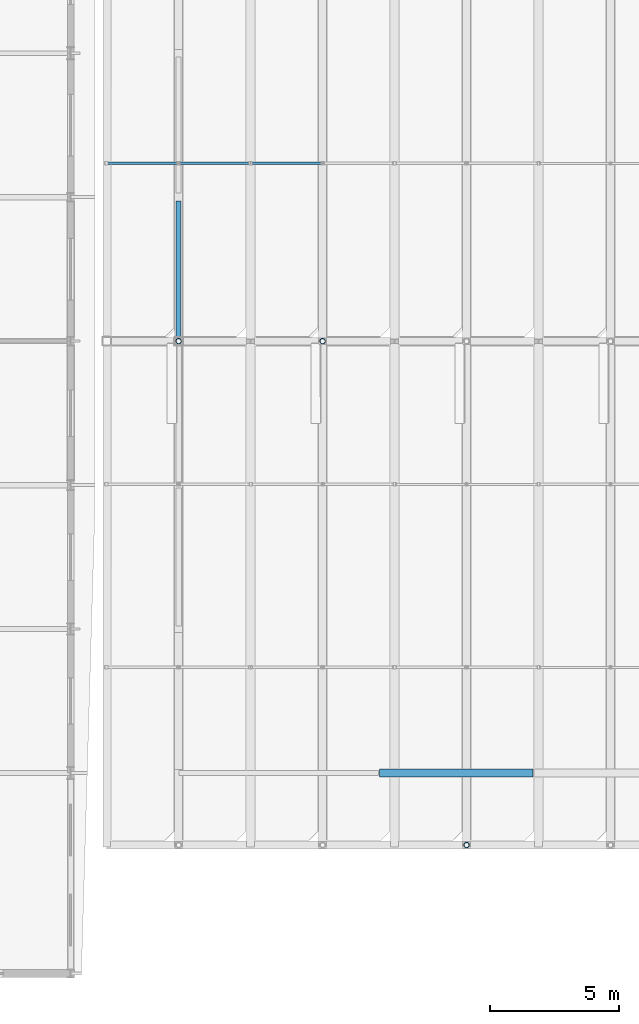
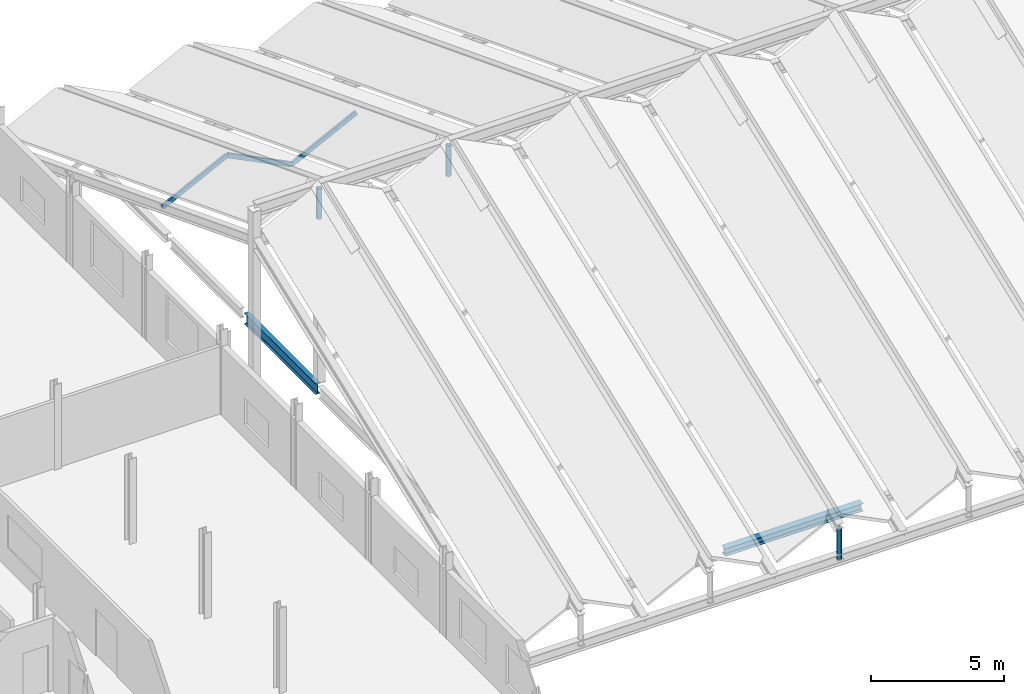
# One storey, part 11 of 49: 6 members, 2 beams.
"""IFC4 building model written with IfcOpenShell, lengths in metres."""

from ifc_helpers import new_model, si_unit, direction, frame, origin, origin_2d, place, context, subcontext, project, spatial, hollow_rectangle, hollow_circle, i_section, extrude, material, material_profile, profile_set, type_object, element, save


model = new_model("IFC4")

# Units and contexts
model_context = context("Model", 3, precision=1e-05, world=origin(), true_north=direction((0.0, 1.0)))
body_context = subcontext(model_context, "Body", "Model", "MODEL_VIEW")
ifc_project = project(units=[si_unit("LENGTHUNIT", "METRE"), si_unit("AREAUNIT", "SQUARE_METRE"), si_unit("VOLUMEUNIT", "CUBIC_METRE"), si_unit("PLANEANGLEUNIT", "RADIAN"), si_unit("MASSUNIT", "GRAM", prefix="KILO")], contexts=[model_context])

# Site, building, storey
site_placement = place(None, origin())
site = spatial("IfcSite", under=ifc_project, at=site_placement, CompositionType="ELEMENT")
building_placement = place(site_placement, origin())
building = spatial("IfcBuilding", under=site, at=building_placement, Name="Vinh Khe Railworks Police Headquarters", CompositionType="ELEMENT")
storey_placement = place(building_placement, frame((0.0, 0.0, 17.10009765625)))
storey = spatial("IfcBuildingStorey", under=building, at=storey_placement, Name="L04", CompositionType="ELEMENT", Elevation=17.10009765625)

# Members
ifc_material = material(Name="Steel S355JR", Category="steel")
ifc_material_profile_1 = material_profile(ifc_material, hollow_rectangle(XDim=0.10009765625, YDim=0.199951171875, WallThickness=0.010009765625, at=origin_2d()), Name="RHS 200x100x10")
ifc_profile_set_1 = profile_set([ifc_material_profile_1], Name="Steel S355JR")
member_type_1 = type_object("IfcMemberType", Name="Roof Purlin RHS 200x100x10", PredefinedType="PURLIN", material=ifc_profile_set_1)
member_1_placement = place(storey_placement, frame((23.60009765625, 48.9140625, 4.69775390625), z_axis=(0.894395992591, 0.0, 0.447275986877), x_axis=(0.0, 1.0, 0.0)))
element("IfcMember", 1, at=member_1_placement, inside=storey, type_object=member_type_1, Name="Folded Roof Purlin 003", PredefinedType="PURLIN", context=body_context, shape_type="SweptSolid", body=[
    extrude(hollow_rectangle(XDim=0.10009765625, YDim=0.199951171875, WallThickness=0.010009765625, at=origin_2d()), origin(), (0.0, 0.0, 1.0), 3.13037109375),
])
member_2_placement = place(storey_placement, frame((26.39990234375, 48.9140625, 6.097900390625), z_axis=(0.894411593428, 0.0, -0.447244789285), x_axis=(0.0, 1.0, 0.0)))
element("IfcMember", 2, at=member_2_placement, inside=storey, type_object=member_type_1, Name="Folded Roof Purlin 007", PredefinedType="PURLIN", context=body_context, shape_type="SweptSolid", body=[
    extrude(hollow_rectangle(XDim=0.10009765625, YDim=0.199951171875, WallThickness=0.010009765625, at=origin_2d()), origin(), (0.0, 0.0, 1.0), 3.130615234375),
])
ifc_material_profile_2 = material_profile(ifc_material, hollow_rectangle(XDim=0.10009765625, YDim=0.199951171875, WallThickness=0.008056640625, at=origin_2d()), Name="RHS 200x100x8")
ifc_profile_set_2 = profile_set([ifc_material_profile_2], Name="Steel S355JR")
member_type_2 = type_object("IfcMemberType", Name="Roof Purlin RHS 200x100x8", PredefinedType="PURLIN", material=ifc_profile_set_2)
member_3_placement = place(storey_placement, frame((29.199951171875, 48.9140625, 4.69775390625), z_axis=(0.894411593428, 0.0, 0.447244789285), x_axis=(0.0, 1.0, 0.0)))
element("IfcMember", 3, at=member_3_placement, inside=storey, type_object=member_type_2, Name="Folded Roof Purlin 011", PredefinedType="PURLIN", context=body_context, shape_type="SweptSolid", body=[
    extrude(hollow_rectangle(XDim=0.10009765625, YDim=0.199951171875, WallThickness=0.008056640625, at=origin_2d()), origin(), (0.0, 0.0, 1.0), 3.130615234375),
])
ifc_material_profile_3 = material_profile(ifc_material, hollow_circle(Radius=0.109619140625, WallThickness=0.012451171875, at=origin_2d()), Name="CHS 219.1x12.5")
ifc_profile_set_3 = profile_set([ifc_material_profile_3], Name="Steel S355JR")
member_type_3 = type_object("IfcMemberType", Name="Roof Strut CHS 219.1x12.5", PredefinedType="STRUT", material=ifc_profile_set_3)
for number, where, z_axis, x_axis, name in (
    (4, (26.39990234375, 42.0, 7.40869140625), (0.0, 0.0, 1.0), (1.0, 0.0, 0.0), "Folded Roof Strut 1M"),
    (5, (32.0, 42.0, 7.40869140625), (0.0, 0.0, 1.0), (1.0, 0.0, 0.0), "Folded Roof Strut 2M"),
):
    element("IfcMember", number, at=place(storey_placement, frame(where, z_axis=z_axis, x_axis=x_axis)), inside=storey, type_object=member_type_3, Name=name, PredefinedType="STRUT", context=body_context, shape_type="SweptSolid", body=[
        extrude(hollow_circle(Radius=0.109619140625, WallThickness=0.012451171875, at=origin_2d()), origin(), (0.0, 0.0, 1.0), 1.400146484375),
    ])
member_4_placement = place(storey_placement, frame((37.60009765625, 22.39990234375, -0.191162109375), z_axis=(0.0, 0.0, 1.0), x_axis=(1.0, 0.0, 0.0)))
element("IfcMember", 6, at=member_4_placement, inside=storey, type_object=member_type_3, Name="Folded Roof Strut 3S", PredefinedType="STRUT", context=body_context, shape_type="SweptSolid", body=[
    extrude(hollow_circle(Radius=0.109619140625, WallThickness=0.012451171875, at=origin_2d()), origin(), (0.0, 0.0, 1.0), 1.39990234375),
])

# Beams
ifc_material_profile_4 = material_profile(ifc_material, i_section(OverallWidth=0.300048828125, OverallDepth=0.35009765625, WebThickness=0.010009765625, FlangeThickness=0.017578125, FilletRadius=0.027099609375, at=origin_2d()), Name="HEA 360")
ifc_profile_set_4 = profile_set([ifc_material_profile_4], Name="Steel S355JR")
beam_type_1 = type_object("IfcBeamType", Name="Steel Girder HEA 360", PredefinedType="BEAM", material=ifc_profile_set_4)
beam_1_placement = place(storey_placement, frame((34.219970703125, 25.199951171875, -0.375), z_axis=(1.0, 0.0, 0.0), x_axis=(0.0, 1.0, 0.0)))
element("IfcBeam", 7, at=beam_1_placement, inside=storey, type_object=beam_type_1, Name="Girder BM-L04-EW-SB-15-1291", PredefinedType="BEAM", context=body_context, shape_type="SweptSolid", body=[
    extrude(i_section(OverallWidth=0.300048828125, OverallDepth=0.35009765625, WebThickness=0.010009765625, FlangeThickness=0.017578125, FilletRadius=0.027099609375, at=origin_2d()), origin(), (0.0, 0.0, 1.0), 5.9599609375),
])
ifc_material_profile_5 = material_profile(ifc_material, i_section(OverallWidth=0.199951171875, OverallDepth=0.5, WebThickness=0.01025390625, FlangeThickness=0.01611328125, FilletRadius=0.02099609375, at=origin_2d()), Name="IPE 500")
ifc_profile_set_5 = profile_set([ifc_material_profile_5], Name="Steel S355JR")
beam_type_2 = type_object("IfcBeamType", Name="Steel Girder IPE 500", PredefinedType="BEAM", material=ifc_profile_set_5)
beam_2_placement = place(storey_placement, frame((26.39990234375, 42.094970703125, -0.4501953125), z_axis=(0.0, 1.0, 0.0), x_axis=(-1.0, 0.0, 0.0)))
element("IfcBeam", 8, at=beam_2_placement, inside=storey, type_object=beam_type_2, Name="Girder BM-L04-NS-SB-19-1439", PredefinedType="BEAM", context=body_context, shape_type="SweptSolid", body=[
    extrude(i_section(OverallWidth=0.199951171875, OverallDepth=0.5, WebThickness=0.01025390625, FlangeThickness=0.01611328125, FilletRadius=0.02099609375, at=origin_2d()), origin(), (0.0, 0.0, 1.0), 5.35009765625),
])

save(model, "model.ifc")
